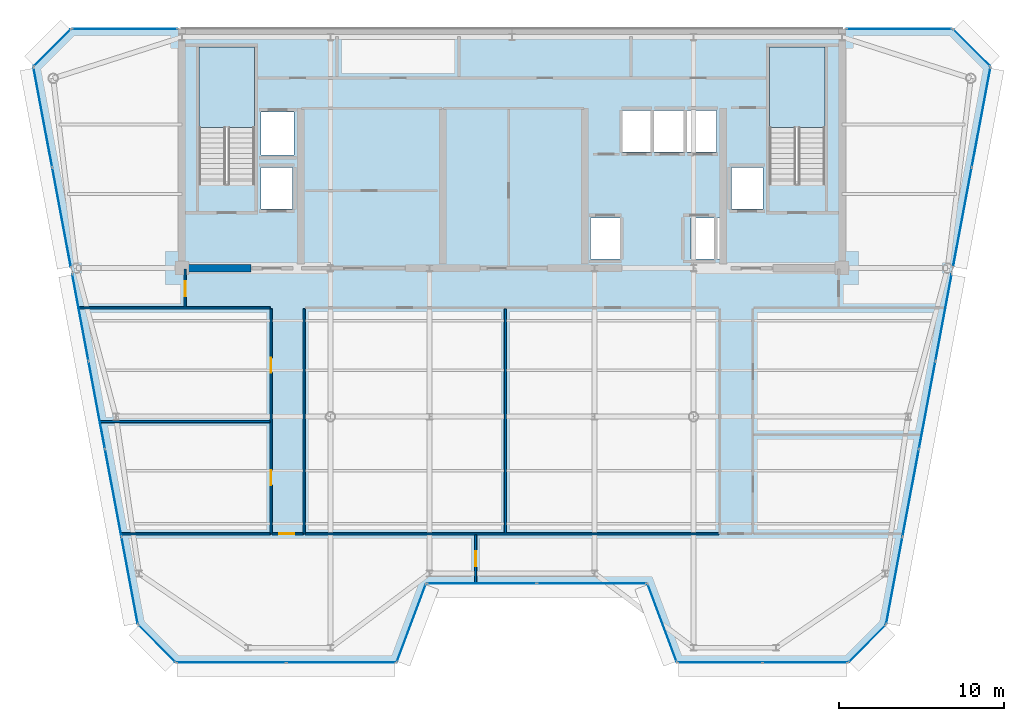
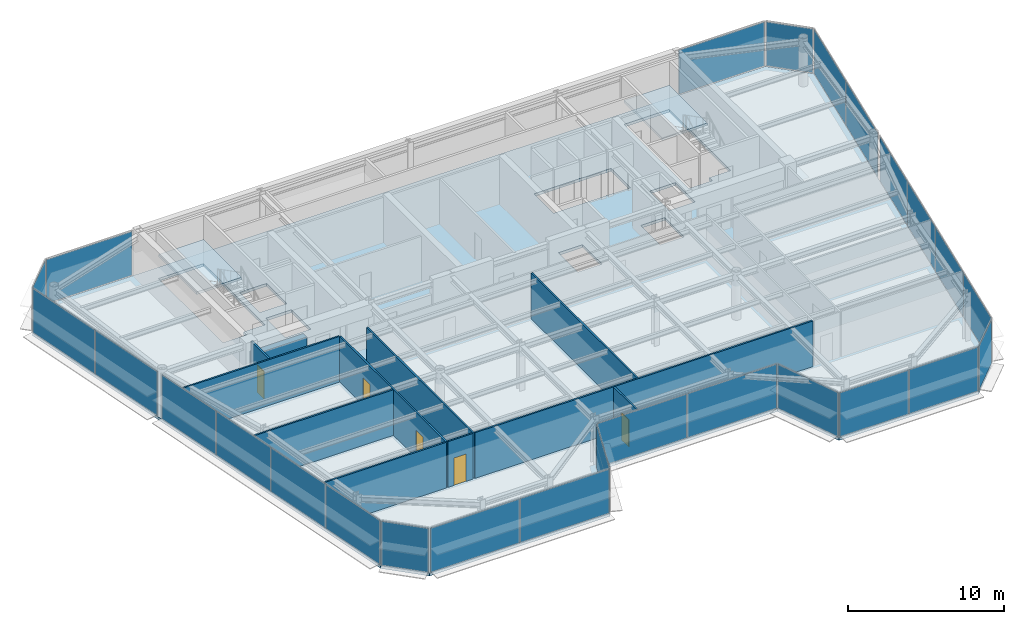
# One storey, part 10 of 20: 26 plates, 11 walls, 5 doors, 3 slabs, 5 openings, 17 elements without a shape of their own.
"""IFC4 building model written with IfcOpenShell, lengths in metres."""

from ifc_helpers import new_model, si_unit, direction, frame, frame_2d, origin, origin_2d, place, context, subcontext, project, spatial, polyline, rectangle, outline, extrude, source, transform, mapped, material, layer, layer_set, type_object, element, fill, aggregate, save


model = new_model("IFC4")

# Units and contexts
model_context = context("Model", 3, precision=1e-05, world=origin(), true_north=direction((0.0, 1.0)))
body_context = subcontext(model_context, "Body", "Model", "MODEL_VIEW")
ifc_project = project(units=[si_unit("LENGTHUNIT", "METRE"), si_unit("AREAUNIT", "SQUARE_METRE"), si_unit("VOLUMEUNIT", "CUBIC_METRE"), si_unit("PLANEANGLEUNIT", "RADIAN"), si_unit("MASSUNIT", "GRAM", prefix="KILO")], contexts=[model_context])

# Site, building, storey
site_placement = place(None, origin())
site = spatial("IfcSite", under=ifc_project, at=site_placement, CompositionType="ELEMENT")
building_placement = place(site_placement, origin())
building = spatial("IfcBuilding", under=site, at=building_placement, Name="Vaeldorn Concourse Tower", CompositionType="ELEMENT")
storey_placement = place(building_placement, frame((0.0, 0.0, 284.0)))
storey = spatial("IfcBuildingStorey", under=building, at=storey_placement, Name="L73", CompositionType="ELEMENT", Elevation=284.0)

# Stair, slab
ifc_material_1 = material(Name="Precast concrete C40/50", Category="concrete")
stair_type = type_object("IfcStairType", Name="STR-DOG-24x158", PredefinedType="HALF_TURN_STAIR", material=ifc_material_1)
stair_1_placement = place(storey_placement, origin())
stair_1 = element("IfcStair", 1, at=stair_1_placement, inside=storey, type_object=stair_type, Name="L73 West Core Exit Stair ST-1", PredefinedType="HALF_TURN_STAIR")
ifc_material_2 = material(Name="Concrete C40/50", Category="concrete")
ifc_layer_1 = layer(ifc_material_2, 0.199951171875)
ifc_layer_set_1 = layer_set([ifc_layer_1], Name="Concrete C40/50")
slab_type_1 = type_object("IfcSlabType", Name="SL-STAIR-LANDING", PredefinedType="LANDING", material=ifc_layer_set_1)
slab_1_placement = place(storey_placement, frame((0.0, 0.0, 1.699951171875)))
slab_1 = element("IfcSlab", 2, at=slab_1_placement, type_object=slab_type_1, Name="ST-1 landing 1", PredefinedType="LANDING", context=body_context, shape_type="SweptSolid", body=[
    extrude(outline(polyline([(18.39990234375, 45.010009765625), (18.39990234375, 49.89990234375), (15.050048828125, 49.89990234375), (15.050048828125, 45.010009765625), (18.39990234375, 45.010009765625)])), origin(), (0.0, 0.0, 1.0), 0.199951171875),
])
aggregate(stair_1, [slab_1])

stair_2_placement = place(storey_placement, origin())
stair_2 = element("IfcStair", 3, at=stair_2_placement, inside=storey, type_object=stair_type, Name="L73 East Core Exit Stair ST-2", PredefinedType="HALF_TURN_STAIR")
slab_2_placement = place(storey_placement, frame((0.0, 0.0, 1.699951171875)))
slab_2 = element("IfcSlab", 4, at=slab_2_placement, type_object=slab_type_1, Name="ST-2 landing 1", PredefinedType="LANDING", context=body_context, shape_type="SweptSolid", body=[
    extrude(outline(polyline([(52.949951171875, 45.010009765625), (52.949951171875, 49.89990234375), (49.60009765625, 49.89990234375), (49.60009765625, 45.010009765625), (52.949951171875, 45.010009765625)])), origin(), (0.0, 0.0, 1.0), 0.199951171875),
])
aggregate(stair_2, [slab_2])

# Slab
ifc_layer_2 = layer(ifc_material_2, 0.219970703125)
ifc_layer_set_2 = layer_set([ifc_layer_2], Name="Concrete C40/50")
slab_type_2 = type_object("IfcSlabType", Name="SL-TYP-220", PredefinedType="FLOOR", material=ifc_layer_set_2)
slab_3_placement = place(storey_placement, frame((0.0, 0.0, -0.219970703125)))
element("IfcSlab", 5, at=slab_3_placement, inside=storey, type_object=slab_type_2, Name="Structural Floor Slab L73", PredefinedType="FLOOR", context=body_context, shape_type="SweptSolid", body=[
    extrude(outline(polyline([(13.635986328125, 12.60009765625), (27.0, 12.60009765625), (28.800048828125, 17.39990234375), (42.199951171875, 17.39990234375), (44.0, 12.60009765625), (54.364013671875, 12.60009765625), (56.6640625, 14.89990234375), (63.0, 48.699951171875), (60.699951171875, 51.0), (7.300048828125, 51.0), (5.0, 48.699951171875), (11.3359375, 14.89990234375), (13.635986328125, 12.60009765625)]), holes=[polyline([(18.39990234375, 42.0), (18.39990234375, 49.89990234375), (15.050048828125, 49.89990234375), (15.050048828125, 41.60009765625), (16.800048828125, 41.60009765625), (16.800048828125, 42.0), (18.39990234375, 42.0)]), polyline([(52.949951171875, 42.0), (52.949951171875, 49.89990234375), (49.60009765625, 49.89990234375), (49.60009765625, 41.60009765625), (51.35009765625, 41.60009765625), (51.35009765625, 42.0), (52.949951171875, 42.0)]), polyline([(38.75, 37.050048828125), (40.550048828125, 37.050048828125), (40.550048828125, 39.550048828125), (38.75, 39.550048828125), (38.75, 37.050048828125)]), polyline([(44.85009765625, 37.050048828125), (46.64990234375, 37.050048828125), (46.64990234375, 39.550048828125), (44.85009765625, 39.550048828125), (44.85009765625, 37.050048828125)]), polyline([(40.699951171875, 43.550048828125), (46.39990234375, 43.550048828125), (46.39990234375, 46.050048828125), (40.699951171875, 46.050048828125), (40.699951171875, 43.550048828125)]), polyline([(18.800048828125, 43.35009765625), (20.800048828125, 43.35009765625), (20.800048828125, 45.949951171875), (18.800048828125, 45.949951171875), (18.800048828125, 43.35009765625)]), polyline([(18.800048828125, 40.10009765625), (20.699951171875, 40.10009765625), (20.699951171875, 42.60009765625), (18.800048828125, 42.60009765625), (18.800048828125, 40.10009765625)]), polyline([(47.300048828125, 40.10009765625), (49.199951171875, 40.10009765625), (49.199951171875, 42.60009765625), (47.300048828125, 42.60009765625), (47.300048828125, 40.10009765625)])]), origin(), (0.0, 0.0, 1.0), 0.219970703125),
])

# Curtain wall, plate
ifc_material_3 = material(Name="Anodised Bronze Aluminium", Category="aluminium")
ifc_layer_3 = layer(ifc_material_3, 0.179931640625)
ifc_layer_set_3 = layer_set([ifc_layer_3], Name="Anodised Bronze Aluminium")
curtain_wall_type = type_object("IfcCurtainWallType", Name="CW-SYS-05", PredefinedType="NOTDEFINED", material=ifc_layer_set_3)
curtain_wall_1_placement = place(storey_placement, origin())
curtain_wall_1 = element("IfcCurtainWall", 6, at=curtain_wall_1_placement, inside=storey, type_object=curtain_wall_type, Name="Unitised Curtain Wall CW-L73-E02-1", PredefinedType="NOTDEFINED")
ifc_material_4 = material(Name="Bronze Tinted Low-E Insulated Glass", Category="glass")
ifc_layer_4 = layer(ifc_material_4, 0.031982421875)
ifc_layer_set_4 = layer_set([ifc_layer_4], Name="Bronze Tinted Low-E Insulated Glass")
plate_type = type_object("IfcPlateType", Name="CWP-VISION-32", PredefinedType="CURTAIN_PANEL", material=ifc_layer_set_4)
shared_shape_1 = source(origin(), body_context, "Body", "SweptSolid", [
    extrude(rectangle(XDim=4.996337890625, YDim=0.031982421875, at=origin_2d()), origin(), (0.0, 0.0, 1.0), 3.449951171875),
])
plate_1_placement = place(storey_placement, frame((27.89990234375, 15.0, 0.06494140625), z_axis=(0.0, 0.0, 1.0), x_axis=(0.351123441595, 0.936329177566, 0.0)))
plate_1 = element("IfcPlate", 7, at=plate_1_placement, type_object=plate_type, Name="CW-05 panel 1.1", PredefinedType="CURTAIN_PANEL", context=body_context, shape_type="MappedRepresentation", body=[
    mapped(shared_shape_1, transform((0.0, 0.0, 0.0), scale=1.0)),
])
aggregate(curtain_wall_1, [plate_1])

curtain_wall_2_placement = place(storey_placement, origin())
curtain_wall_2 = element("IfcCurtainWall", 8, at=curtain_wall_2_placement, inside=storey, type_object=curtain_wall_type, Name="Unitised Curtain Wall CW-L73-E04-1", PredefinedType="NOTDEFINED")
plate_2_placement = place(storey_placement, frame((43.10009765625, 15.0, 0.06494140625), z_axis=(0.0, 0.0, 1.0), x_axis=(0.351123441595, -0.936329177566, 0.0)))
plate_2 = element("IfcPlate", 9, at=plate_2_placement, type_object=plate_type, Name="CW-05 panel 1.1", PredefinedType="CURTAIN_PANEL", context=body_context, shape_type="MappedRepresentation", body=[
    mapped(shared_shape_1, transform((0.0, 0.0, 0.0), scale=1.0)),
])
aggregate(curtain_wall_2, [plate_2])

# Curtain wall, plates
curtain_wall_3_placement = place(storey_placement, origin())
curtain_wall_3 = element("IfcCurtainWall", 10, at=curtain_wall_3_placement, inside=storey, type_object=curtain_wall_type, Name="Unitised Curtain Wall CW-L73-E03-1", PredefinedType="NOTDEFINED")
shared_shape_2 = source(origin(), body_context, "Body", "SweptSolid", [
    extrude(rectangle(XDim=6.6025390625, YDim=0.031982421875, at=origin_2d()), origin(), (0.0, 0.0, 1.0), 3.449951171875),
])
plate_3_placement = place(storey_placement, frame((32.166259765625, 17.39990234375, 0.06494140625), z_axis=(0.0, 0.0, 1.0), x_axis=(1.0, 0.0, 0.0)))
plate_3 = element("IfcPlate", 11, at=plate_3_placement, type_object=plate_type, Name="CW-05 panel 1.1", PredefinedType="CURTAIN_PANEL", context=body_context, shape_type="MappedRepresentation", body=[
    mapped(shared_shape_2, transform((0.0, 0.0, 0.0), scale=1.0)),
])
plate_4_placement = place(storey_placement, frame((38.833740234375, 17.39990234375, 0.06494140625), z_axis=(0.0, 0.0, 1.0), x_axis=(1.0, 0.0, 0.0)))
plate_4 = element("IfcPlate", 12, at=plate_4_placement, type_object=plate_type, Name="CW-05 panel 2.1", PredefinedType="CURTAIN_PANEL", context=body_context, shape_type="MappedRepresentation", body=[
    mapped(shared_shape_2, transform((0.0, 0.0, 0.0), scale=1.0)),
])
aggregate(curtain_wall_3, [plate_3, plate_4])

# Curtain wall, plate
curtain_wall_4_placement = place(storey_placement, origin())
curtain_wall_4 = element("IfcCurtainWall", 13, at=curtain_wall_4_placement, inside=storey, type_object=curtain_wall_type, Name="Unitised Curtain Wall CW-L73-E06-1", PredefinedType="NOTDEFINED")
shared_shape_3 = source(origin(), body_context, "Body", "SweptSolid", [
    extrude(rectangle(XDim=3.122802734375, YDim=0.031982421875, at=origin_2d()), origin(), (0.0, 0.0, 1.0), 3.449951171875),
])
plate_5_placement = place(storey_placement, frame((55.513916015625, 13.75, 0.06494140625), z_axis=(0.0, 0.0, 1.0), x_axis=(0.707106781187, 0.707106781187, 0.0)))
plate_5 = element("IfcPlate", 14, at=plate_5_placement, type_object=plate_type, Name="CW-05 panel 1.1", PredefinedType="CURTAIN_PANEL", context=body_context, shape_type="MappedRepresentation", body=[
    mapped(shared_shape_3, transform((0.0, 0.0, 0.0), scale=1.0)),
])
aggregate(curtain_wall_4, [plate_5])

curtain_wall_5_placement = place(storey_placement, origin())
curtain_wall_5 = element("IfcCurtainWall", 15, at=curtain_wall_5_placement, inside=storey, type_object=curtain_wall_type, Name="Unitised Curtain Wall CW-L73-E08-1", PredefinedType="NOTDEFINED")
plate_6_placement = place(storey_placement, frame((61.85009765625, 49.85009765625, 0.06494140625), z_axis=(0.0, 0.0, 1.0), x_axis=(-0.707106781187, 0.707106781187, 0.0)))
plate_6 = element("IfcPlate", 16, at=plate_6_placement, type_object=plate_type, Name="CW-05 panel 1.1", PredefinedType="CURTAIN_PANEL", context=body_context, shape_type="MappedRepresentation", body=[
    mapped(shared_shape_3, transform((0.0, 0.0, 0.0), scale=1.0)),
])
aggregate(curtain_wall_5, [plate_6])

curtain_wall_6_placement = place(storey_placement, origin())
curtain_wall_6 = element("IfcCurtainWall", 17, at=curtain_wall_6_placement, inside=storey, type_object=curtain_wall_type, Name="Unitised Curtain Wall CW-L73-E10-1", PredefinedType="NOTDEFINED")
plate_7_placement = place(storey_placement, frame((6.14990234375, 49.85009765625, 0.06494140625), z_axis=(0.0, 0.0, 1.0), x_axis=(-0.707106781187, -0.707106781187, 0.0)))
plate_7 = element("IfcPlate", 18, at=plate_7_placement, type_object=plate_type, Name="CW-05 panel 1.1", PredefinedType="CURTAIN_PANEL", context=body_context, shape_type="MappedRepresentation", body=[
    mapped(shared_shape_3, transform((0.0, 0.0, 0.0), scale=1.0)),
])
aggregate(curtain_wall_6, [plate_7])

curtain_wall_7_placement = place(storey_placement, origin())
curtain_wall_7 = element("IfcCurtainWall", 19, at=curtain_wall_7_placement, inside=storey, type_object=curtain_wall_type, Name="Unitised Curtain Wall CW-L73-E12-1", PredefinedType="NOTDEFINED")
plate_8_placement = place(storey_placement, frame((12.486083984375, 13.75, 0.06494140625), z_axis=(0.0, 0.0, 1.0), x_axis=(0.707106781187, -0.707106781187, 0.0)))
plate_8 = element("IfcPlate", 20, at=plate_8_placement, type_object=plate_type, Name="CW-05 panel 1.1", PredefinedType="CURTAIN_PANEL", context=body_context, shape_type="MappedRepresentation", body=[
    mapped(shared_shape_3, transform((0.0, 0.0, 0.0), scale=1.0)),
])
aggregate(curtain_wall_7, [plate_8])

curtain_wall_8_placement = place(storey_placement, origin())
curtain_wall_8 = element("IfcCurtainWall", 21, at=curtain_wall_8_placement, inside=storey, type_object=curtain_wall_type, Name="Unitised Curtain Wall CW-L73-E09-1", PredefinedType="NOTDEFINED")
shared_shape_4 = source(origin(), body_context, "Body", "SweptSolid", [
    extrude(rectangle(XDim=6.35009765625, YDim=0.031982421875, at=origin_2d()), origin(), (0.0, 0.0, 1.0), 3.449951171875),
])
plate_9_placement = place(storey_placement, frame((57.4599609375, 51.0, 0.06494140625), z_axis=(0.0, 0.0, 1.0), x_axis=(-1.0, 0.0, 0.0)))
plate_9 = element("IfcPlate", 22, at=plate_9_placement, type_object=plate_type, Name="CW-05 panel 1.1", PredefinedType="CURTAIN_PANEL", context=body_context, shape_type="MappedRepresentation", body=[
    mapped(shared_shape_4, transform((0.0, 0.0, 0.0), scale=1.0)),
])
aggregate(curtain_wall_8, [plate_9])

curtain_wall_9_placement = place(storey_placement, origin())
curtain_wall_9 = element("IfcCurtainWall", 23, at=curtain_wall_9_placement, inside=storey, type_object=curtain_wall_type, Name="Unitised Curtain Wall CW-L73-E09-2", PredefinedType="NOTDEFINED")
plate_10_placement = place(storey_placement, frame((10.5400390625, 51.0, 0.06494140625), z_axis=(0.0, 0.0, 1.0), x_axis=(-1.0, 0.0, 0.0)))
plate_10 = element("IfcPlate", 24, at=plate_10_placement, type_object=plate_type, Name="CW-05 panel 1.1", PredefinedType="CURTAIN_PANEL", context=body_context, shape_type="MappedRepresentation", body=[
    mapped(shared_shape_4, transform((0.0, 0.0, 0.0), scale=1.0)),
])
aggregate(curtain_wall_9, [plate_10])

# Curtain wall, plates
curtain_wall_10_placement = place(storey_placement, origin())
curtain_wall_10 = element("IfcCurtainWall", 25, at=curtain_wall_10_placement, inside=storey, type_object=curtain_wall_type, Name="Unitised Curtain Wall CW-L73-E07-1", PredefinedType="NOTDEFINED")
shared_shape_5 = source(origin(), body_context, "Body", "SweptSolid", [
    extrude(rectangle(XDim=5.31640625, YDim=0.031982421875, at=origin_2d()), origin(), (0.0, 0.0, 1.0), 3.449951171875),
])
plate_11_placement = place(storey_placement, frame((57.165771484375, 17.57666015625, 0.06494140625), z_axis=(0.0, 0.0, 1.0), x_axis=(0.184246714088, 0.982880027444, 0.0)))
plate_11 = element("IfcPlate", 26, at=plate_11_placement, type_object=plate_type, Name="CW-05 panel 1.1", PredefinedType="CURTAIN_PANEL", context=body_context, shape_type="MappedRepresentation", body=[
    mapped(shared_shape_5, transform((0.0, 0.0, 0.0), scale=1.0)),
])
plate_12_placement = place(storey_placement, frame((60.15234375, 33.50830078125, 0.06494140625), z_axis=(0.0, 0.0, 1.0), x_axis=(0.184246714088, 0.982880027444, 0.0)))
plate_12 = element("IfcPlate", 27, at=plate_12_placement, type_object=plate_type, Name="CW-05 panel 4.1", PredefinedType="CURTAIN_PANEL", context=body_context, shape_type="MappedRepresentation", body=[
    mapped(shared_shape_5, transform((0.0, 0.0, 0.0), scale=1.0)),
])

curtain_wall_11_placement = place(storey_placement, origin())
curtain_wall_11 = element("IfcCurtainWall", 28, at=curtain_wall_11_placement, inside=storey, type_object=curtain_wall_type, Name="Unitised Curtain Wall CW-L73-E11-2", PredefinedType="NOTDEFINED")
plate_13_placement = place(storey_placement, frame((7.84765625, 33.50830078125, 0.06494140625), z_axis=(0.0, 0.0, 1.0), x_axis=(0.184246714088, -0.982880027444, 0.0)))
plate_13 = element("IfcPlate", 29, at=plate_13_placement, type_object=plate_type, Name="CW-05 panel 1.1", PredefinedType="CURTAIN_PANEL", context=body_context, shape_type="MappedRepresentation", body=[
    mapped(shared_shape_5, transform((0.0, 0.0, 0.0), scale=1.0)),
])
plate_14_placement = place(storey_placement, frame((10.834228515625, 17.57666015625, 0.06494140625), z_axis=(0.0, 0.0, 1.0), x_axis=(0.184246714088, -0.982880027444, 0.0)))
plate_14 = element("IfcPlate", 30, at=plate_14_placement, type_object=plate_type, Name="CW-05 panel 4.1", PredefinedType="CURTAIN_PANEL", context=body_context, shape_type="MappedRepresentation", body=[
    mapped(shared_shape_5, transform((0.0, 0.0, 0.0), scale=1.0)),
])

# Plate
shared_shape_6 = source(origin(), body_context, "Body", "SweptSolid", [
    extrude(rectangle(XDim=5.348876953125, YDim=0.031982421875, at=origin_2d()), origin(), (0.0, 0.0, 1.0), 3.449951171875),
])
plate_15_placement = place(storey_placement, frame((58.16015625, 22.8818359375, 0.06494140625), z_axis=(0.0, 0.0, 1.0), x_axis=(0.184246714088, 0.982880027444, 0.0)))
plate_15 = element("IfcPlate", 31, at=plate_15_placement, type_object=plate_type, Name="CW-05 panel 2.1", PredefinedType="CURTAIN_PANEL", context=body_context, shape_type="MappedRepresentation", body=[
    mapped(shared_shape_6, transform((0.0, 0.0, 0.0), scale=1.0)),
])

plate_16_placement = place(storey_placement, frame((59.15771484375, 28.203125, 0.06494140625), z_axis=(0.0, 0.0, 1.0), x_axis=(0.184246714088, 0.982880027444, 0.0)))
plate_16 = element("IfcPlate", 32, at=plate_16_placement, type_object=plate_type, Name="CW-05 panel 3.1", PredefinedType="CURTAIN_PANEL", context=body_context, shape_type="MappedRepresentation", body=[
    mapped(shared_shape_6, transform((0.0, 0.0, 0.0), scale=1.0)),
])

aggregate(curtain_wall_10, [plate_11, plate_15, plate_16, plate_12])

plate_17_placement = place(storey_placement, frame((8.84228515625, 28.203125, 0.06494140625), z_axis=(0.0, 0.0, 1.0), x_axis=(0.184246714088, -0.982880027444, 0.0)))
plate_17 = element("IfcPlate", 33, at=plate_17_placement, type_object=plate_type, Name="CW-05 panel 2.1", PredefinedType="CURTAIN_PANEL", context=body_context, shape_type="MappedRepresentation", body=[
    mapped(shared_shape_6, transform((0.0, 0.0, 0.0), scale=1.0)),
])

plate_18_placement = place(storey_placement, frame((9.83984375, 22.8818359375, 0.06494140625), z_axis=(0.0, 0.0, 1.0), x_axis=(0.184246714088, -0.982880027444, 0.0)))
plate_18 = element("IfcPlate", 34, at=plate_18_placement, type_object=plate_type, Name="CW-05 panel 3.1", PredefinedType="CURTAIN_PANEL", context=body_context, shape_type="MappedRepresentation", body=[
    mapped(shared_shape_6, transform((0.0, 0.0, 0.0), scale=1.0)),
])

aggregate(curtain_wall_11, [plate_13, plate_17, plate_18, plate_14])

# Curtain wall, plates
curtain_wall_12_placement = place(storey_placement, origin())
curtain_wall_12 = element("IfcCurtainWall", 35, at=curtain_wall_12_placement, inside=storey, type_object=curtain_wall_type, Name="Unitised Curtain Wall CW-L73-E07-2", PredefinedType="NOTDEFINED")
shared_shape_7 = source(origin(), body_context, "Body", "SweptSolid", [
    extrude(rectangle(XDim=6.103515625, YDim=0.031982421875, at=origin_2d()), origin(), (0.0, 0.0, 1.0), 3.449951171875),
])
plate_19_placement = place(storey_placement, frame((61.289306640625, 39.57373046875, 0.06494140625), z_axis=(0.0, 0.0, 1.0), x_axis=(0.184245693053, 0.982880218842, 0.0)))
plate_19 = element("IfcPlate", 36, at=plate_19_placement, type_object=plate_type, Name="CW-05 panel 1.1", PredefinedType="CURTAIN_PANEL", context=body_context, shape_type="MappedRepresentation", body=[
    mapped(shared_shape_7, transform((0.0, 0.0, 0.0), scale=1.0)),
])
plate_20_placement = place(storey_placement, frame((62.42578125, 45.63671875, 0.06494140625), z_axis=(0.0, 0.0, 1.0), x_axis=(0.184245693053, 0.982880218842, 0.0)))
plate_20 = element("IfcPlate", 37, at=plate_20_placement, type_object=plate_type, Name="CW-05 panel 2.1", PredefinedType="CURTAIN_PANEL", context=body_context, shape_type="MappedRepresentation", body=[
    mapped(shared_shape_7, transform((0.0, 0.0, 0.0), scale=1.0)),
])
aggregate(curtain_wall_12, [plate_19, plate_20])

curtain_wall_13_placement = place(storey_placement, origin())
curtain_wall_13 = element("IfcCurtainWall", 38, at=curtain_wall_13_placement, inside=storey, type_object=curtain_wall_type, Name="Unitised Curtain Wall CW-L73-E11-1", PredefinedType="NOTDEFINED")
plate_21_placement = place(storey_placement, frame((5.57421875, 45.63671875, 0.06494140625), z_axis=(0.0, 0.0, 1.0), x_axis=(0.184245693053, -0.982880218842, 0.0)))
plate_21 = element("IfcPlate", 39, at=plate_21_placement, type_object=plate_type, Name="CW-05 panel 1.1", PredefinedType="CURTAIN_PANEL", context=body_context, shape_type="MappedRepresentation", body=[
    mapped(shared_shape_7, transform((0.0, 0.0, 0.0), scale=1.0)),
])
plate_22_placement = place(storey_placement, frame((6.710693359375, 39.57373046875, 0.06494140625), z_axis=(0.0, 0.0, 1.0), x_axis=(0.184245693053, -0.982880218842, 0.0)))
plate_22 = element("IfcPlate", 40, at=plate_22_placement, type_object=plate_type, Name="CW-05 panel 2.1", PredefinedType="CURTAIN_PANEL", context=body_context, shape_type="MappedRepresentation", body=[
    mapped(shared_shape_7, transform((0.0, 0.0, 0.0), scale=1.0)),
])
aggregate(curtain_wall_13, [plate_21, plate_22])

curtain_wall_14_placement = place(storey_placement, origin())
curtain_wall_14 = element("IfcCurtainWall", 41, at=curtain_wall_14_placement, inside=storey, type_object=curtain_wall_type, Name="Unitised Curtain Wall CW-L73-E01-1", PredefinedType="NOTDEFINED")
shared_shape_8 = source(origin(), body_context, "Body", "SweptSolid", [
    extrude(rectangle(XDim=6.58447265625, YDim=0.031982421875, at=origin_2d()), origin(), (0.0, 0.0, 1.0), 3.449951171875),
])
plate_23_placement = place(storey_placement, frame((16.9931640625, 12.60009765625, 0.06494140625), z_axis=(0.0, 0.0, 1.0), x_axis=(1.0, 0.0, 0.0)))
plate_23 = element("IfcPlate", 42, at=plate_23_placement, type_object=plate_type, Name="CW-05 panel 1.1", PredefinedType="CURTAIN_PANEL", context=body_context, shape_type="MappedRepresentation", body=[
    mapped(shared_shape_8, transform((0.0, 0.0, 0.0), scale=1.0)),
])
plate_24_placement = place(storey_placement, frame((23.642822265625, 12.60009765625, 0.06494140625), z_axis=(0.0, 0.0, 1.0), x_axis=(1.0, 0.0, 0.0)))
plate_24 = element("IfcPlate", 43, at=plate_24_placement, type_object=plate_type, Name="CW-05 panel 2.1", PredefinedType="CURTAIN_PANEL", context=body_context, shape_type="MappedRepresentation", body=[
    mapped(shared_shape_8, transform((0.0, 0.0, 0.0), scale=1.0)),
])
aggregate(curtain_wall_14, [plate_23, plate_24])

curtain_wall_15_placement = place(storey_placement, origin())
curtain_wall_15 = element("IfcCurtainWall", 44, at=curtain_wall_15_placement, inside=storey, type_object=curtain_wall_type, Name="Unitised Curtain Wall CW-L73-E05-1", PredefinedType="NOTDEFINED")
shared_shape_9 = source(origin(), body_context, "Body", "SweptSolid", [
    extrude(rectangle(XDim=5.08447265625, YDim=0.031982421875, at=origin_2d()), origin(), (0.0, 0.0, 1.0), 3.449951171875),
])
plate_25_placement = place(storey_placement, frame((46.607177734375, 12.60009765625, 0.06494140625), z_axis=(0.0, 0.0, 1.0), x_axis=(1.0, 0.0, 0.0)))
plate_25 = element("IfcPlate", 45, at=plate_25_placement, type_object=plate_type, Name="CW-05 panel 1.1", PredefinedType="CURTAIN_PANEL", context=body_context, shape_type="MappedRepresentation", body=[
    mapped(shared_shape_9, transform((0.0, 0.0, 0.0), scale=1.0)),
])
plate_26_placement = place(storey_placement, frame((51.7568359375, 12.60009765625, 0.06494140625), z_axis=(0.0, 0.0, 1.0), x_axis=(1.0, 0.0, 0.0)))
plate_26 = element("IfcPlate", 46, at=plate_26_placement, type_object=plate_type, Name="CW-05 panel 2.1", PredefinedType="CURTAIN_PANEL", context=body_context, shape_type="MappedRepresentation", body=[
    mapped(shared_shape_9, transform((0.0, 0.0, 0.0), scale=1.0)),
])
aggregate(curtain_wall_15, [plate_25, plate_26])

# Walls
ifc_material_5 = material(Name="Concrete C50/60", Category="concrete")
ifc_layer_5 = layer(ifc_material_5, 0.449951171875)
ifc_layer_set_5 = layer_set([ifc_layer_5], Name="Concrete C50/60")
wall_type_1 = type_object("IfcWallType", Name="WL-CORE-450", PredefinedType="SHEAR", material=ifc_layer_set_5)
wall_1_placement = place(storey_placement, frame((14.2451171875, 36.5, 0.0), z_axis=(0.0, 0.0, 1.0), x_axis=(1.0, 0.0, 0.0)))
element("IfcWall", 47, at=wall_1_placement, inside=storey, type_object=wall_type_1, Name="Rear Core Shear Wall L73 S1", PredefinedType="SHEAR", context=body_context, shape_type="SweptSolid", body=[
    extrude(rectangle(XDim=3.954833984375, YDim=0.449951171875, at=frame_2d((1.9775390625, 0.0))), origin(), (0.0, 0.0, 1.0), 2.580078125),
])
ifc_material_6 = material(Name="Gypsum Board Partition", Category="gypsum")
ifc_layer_6 = layer(ifc_material_6, 0.1201171875)
ifc_layer_set_6 = layer_set([ifc_layer_6], Name="Gypsum Board Partition")
wall_type_2 = type_object("IfcWallType", Name="WL-PART-120", PredefinedType="PARTITIONING", material=ifc_layer_set_6)
wall_2_placement = place(storey_placement, frame((7.77685546875, 34.10009765625, 0.0), z_axis=(0.0, 0.0, 1.0), x_axis=(1.0, 0.0, 0.0)))
element("IfcWall", 48, at=wall_2_placement, inside=storey, type_object=wall_type_2, Name="Interior Wall PW-L73-CEWW", PredefinedType="PARTITIONING", context=body_context, shape_type="SweptSolid", body=[
    extrude(rectangle(XDim=11.563232421875, YDim=0.1201171875, at=frame_2d((5.78173828125, 0.0))), origin(), (0.0, 0.0, 1.0), 3.580078125),
])

# Wall, opening, door
wall_3_placement = place(storey_placement, frame((14.199951171875, 34.159912109375, 0.0), z_axis=(0.0, 0.0, 1.0), x_axis=(0.0, 1.0, 0.0)))
wall_3 = element("IfcWall", 49, at=wall_3_placement, inside=storey, type_object=wall_type_2, Name="Interior Wall PW-L73-CWWT", PredefinedType="PARTITIONING", context=body_context, shape_type="SweptSolid", body=[
    extrude(rectangle(XDim=2.280029296875, YDim=0.1201171875, at=frame_2d((1.14013671875, 0.0))), origin(), (0.0, 0.0, 1.0), 3.580078125),
])
opening_1_placement = place(wall_3_placement, frame((0.64990234375, 0.0, 0.0)))
opening_1 = element("IfcOpeningElement", 50, at=opening_1_placement, cuts=wall_3, Name="Opening D-03", PredefinedType="OPENING", context=body_context, shape_type="SweptSolid", body=[
    extrude(rectangle(XDim=0.89990234375, YDim=2.14990234375, at=frame_2d((0.449951171875, 1.074951171875))), frame((0.0, 0.070068359375, 0.0), z_axis=(0.0, -1.0, 0.0), x_axis=(1.0, 0.0, 0.0)), (0.0, 0.0, 1.0), 0.14013671875),
])
ifc_material_7 = material(Name="Acoustic Bronze-Framed Glass Door", Category="glass")
door_type = type_object("IfcDoorType", Name="DR-INT-900", OperationType="NOTDEFINED", PredefinedType="DOOR", material=ifc_material_7)
shared_shape_10 = source(origin(), body_context, "Body", "SweptSolid", [
    extrude(rectangle(XDim=0.89990234375, YDim=2.14990234375, at=frame_2d((0.449951171875, 1.074951171875))), frame((0.0, 0.02490234375, 0.0), z_axis=(0.0, -1.0, 0.0), x_axis=(1.0, 0.0, 0.0)), (0.0, 0.0, 1.0), 0.050048828125),
])
door_1_placement = place(opening_1_placement, origin())
door_1 = element("IfcDoor", 51, at=door_1_placement, inside=storey, type_object=door_type, Name="Interior Door DR-L73-NW1", OperationType="SINGLE_SWING_LEFT", OverallHeight=2.14990234375, OverallWidth=0.89990234375, PredefinedType="DOOR", context=body_context, shape_type="MappedRepresentation", body=[
    mapped(shared_shape_10, transform((0.0, 0.0, 0.0), scale=1.0)),
])
fill(opening_1, door_1)

# Wall, openings, doors
wall_4_placement = place(storey_placement, frame((19.39990234375, 20.39990234375, 0.0), z_axis=(0.0, 0.0, 1.0), x_axis=(0.0, 1.0, 0.0)))
wall_4 = element("IfcWall", 52, at=wall_4_placement, inside=storey, type_object=wall_type_2, Name="Interior Wall PW-L73-CWW", PredefinedType="PARTITIONING", context=body_context, shape_type="SweptSolid", body=[
    extrude(rectangle(XDim=13.64013671875, YDim=0.1201171875, at=frame_2d((6.820068359375, 0.0))), origin(), (0.0, 0.0, 1.0), 3.580078125),
])
opening_2_placement = place(wall_4_placement, frame((2.949951171875, 0.0, 0.0)))
opening_2 = element("IfcOpeningElement", 53, at=opening_2_placement, cuts=wall_4, Name="Opening D-03", PredefinedType="OPENING", context=body_context, shape_type="SweptSolid", body=[
    extrude(rectangle(XDim=0.89990234375, YDim=2.14990234375, at=frame_2d((0.449951171875, 1.074951171875))), frame((0.0, 0.070068359375, 0.0), z_axis=(0.0, -1.0, 0.0), x_axis=(1.0, 0.0, 0.0)), (0.0, 0.0, 1.0), 0.14013671875),
])
opening_3_placement = place(wall_4_placement, frame((9.77001953125, 0.0, 0.0)))
opening_3 = element("IfcOpeningElement", 54, at=opening_3_placement, cuts=wall_4, Name="Opening D-03", PredefinedType="OPENING", context=body_context, shape_type="SweptSolid", body=[
    extrude(rectangle(XDim=0.89990234375, YDim=2.14990234375, at=frame_2d((0.449951171875, 1.074951171875))), frame((0.0, 0.070068359375, 0.0), z_axis=(0.0, -1.0, 0.0), x_axis=(1.0, 0.0, 0.0)), (0.0, 0.0, 1.0), 0.14013671875),
])
door_2_placement = place(opening_2_placement, origin())
door_2 = element("IfcDoor", 55, at=door_2_placement, inside=storey, type_object=door_type, Name="Interior Door DR-L73-W1", OperationType="SINGLE_SWING_LEFT", OverallHeight=2.14990234375, OverallWidth=0.89990234375, PredefinedType="DOOR", context=body_context, shape_type="MappedRepresentation", body=[
    mapped(shared_shape_10, transform((0.0, 0.0, 0.0), scale=1.0)),
])
fill(opening_2, door_2)
door_3_placement = place(opening_3_placement, origin())
door_3 = element("IfcDoor", 56, at=door_3_placement, inside=storey, type_object=door_type, Name="Interior Door DR-L73-W2", OperationType="SINGLE_SWING_RIGHT", OverallHeight=2.14990234375, OverallWidth=0.89990234375, PredefinedType="DOOR", context=body_context, shape_type="MappedRepresentation", body=[
    mapped(shared_shape_10, transform((0.0, 0.0, 0.0), scale=1.0)),
])
fill(opening_3, door_3)

# Wall
wall_5_placement = place(storey_placement, frame((21.39990234375, 20.39990234375, 0.0), z_axis=(0.0, 0.0, 1.0), x_axis=(0.0, 1.0, 0.0)))
element("IfcWall", 57, at=wall_5_placement, inside=storey, type_object=wall_type_2, Name="Interior Wall PW-L73-CWE", PredefinedType="PARTITIONING", context=body_context, shape_type="SweptSolid", body=[
    extrude(rectangle(XDim=13.64013671875, YDim=0.1201171875, at=frame_2d((6.820068359375, 0.0))), origin(), (0.0, 0.0, 1.0), 3.580078125),
])

# Wall, opening, door
wall_6_placement = place(storey_placement, frame((19.4599609375, 20.39990234375, 0.0), z_axis=(0.0, 0.0, 1.0), x_axis=(1.0, 0.0, 0.0)))
wall_6 = element("IfcWall", 58, at=wall_6_placement, inside=storey, type_object=wall_type_2, Name="Interior Wall PW-L73-CWS", PredefinedType="PARTITIONING", context=body_context, shape_type="SweptSolid", body=[
    extrude(rectangle(XDim=1.880126953125, YDim=0.1201171875, at=frame_2d((0.93994140625, 0.0))), origin(), (0.0, 0.0, 1.0), 3.580078125),
])
opening_4_placement = place(wall_6_placement, frame((0.449951171875, 0.0, 0.0)))
opening_4 = element("IfcOpeningElement", 59, at=opening_4_placement, cuts=wall_6, Name="Opening D-03", PredefinedType="OPENING", context=body_context, shape_type="SweptSolid", body=[
    extrude(rectangle(XDim=0.89990234375, YDim=2.14990234375, at=frame_2d((0.449951171875, 1.074951171875))), frame((0.0, 0.070068359375, 0.0), z_axis=(0.0, -1.0, 0.0), x_axis=(1.0, 0.0, 0.0)), (0.0, 0.0, 1.0), 0.14013671875),
])
door_4_placement = place(opening_4_placement, origin())
door_4 = element("IfcDoor", 60, at=door_4_placement, inside=storey, type_object=door_type, Name="Interior Door DR-L73-SWL", OperationType="SINGLE_SWING_LEFT", OverallHeight=2.14990234375, OverallWidth=0.89990234375, PredefinedType="DOOR", context=body_context, shape_type="MappedRepresentation", body=[
    mapped(shared_shape_10, transform((0.0, 0.0, 0.0), scale=1.0)),
])
fill(opening_4, door_4)

# Walls
wall_7_placement = place(storey_placement, frame((10.344970703125, 20.39990234375, 0.0), z_axis=(0.0, 0.0, 1.0), x_axis=(1.0, 0.0, 0.0)))
element("IfcWall", 61, at=wall_7_placement, inside=storey, type_object=wall_type_2, Name="Interior Wall PW-L73-WY0", PredefinedType="PARTITIONING", context=body_context, shape_type="SweptSolid", body=[
    extrude(rectangle(XDim=8.9951171875, YDim=0.1201171875, at=frame_2d((4.49755859375, 0.0))), origin(), (0.0, 0.0, 1.0), 3.580078125),
])
wall_8_placement = place(storey_placement, frame((9.0703125, 27.199951171875, 0.0), z_axis=(0.0, 0.0, 1.0), x_axis=(1.0, 0.0, 0.0)))
element("IfcWall", 62, at=wall_8_placement, inside=storey, type_object=wall_type_2, Name="Interior Wall PW-L73-WY1", PredefinedType="PARTITIONING", context=body_context, shape_type="SweptSolid", body=[
    extrude(rectangle(XDim=10.269775390625, YDim=0.1201171875, at=frame_2d((5.134765625, 0.0))), origin(), (0.0, 0.0, 1.0), 3.580078125),
])
wall_9_placement = place(storey_placement, frame((21.4599609375, 20.39990234375, 0.0), z_axis=(0.0, 0.0, 1.0), x_axis=(1.0, 0.0, 0.0)))
element("IfcWall", 63, at=wall_9_placement, inside=storey, type_object=wall_type_2, Name="Interior Wall PW-L73-HUBS", PredefinedType="PARTITIONING", context=body_context, shape_type="SweptSolid", body=[
    extrude(rectangle(XDim=25.080078125, YDim=0.1201171875, at=frame_2d((12.5400390625, 0.0))), origin(), (0.0, 0.0, 1.0), 3.580078125),
])
wall_10_placement = place(storey_placement, frame((33.60009765625, 20.4599609375, 0.0), z_axis=(0.0, 0.0, 1.0), x_axis=(0.0, 1.0, 0.0)))
element("IfcWall", 64, at=wall_10_placement, inside=storey, type_object=wall_type_2, Name="Interior Wall PW-L73-HX1", PredefinedType="PARTITIONING", context=body_context, shape_type="SweptSolid", body=[
    extrude(rectangle(XDim=13.580078125, YDim=0.1201171875, at=frame_2d((6.7900390625, 0.0))), origin(), (0.0, 0.0, 1.0), 3.580078125),
])

# Wall, opening, door
wall_11_placement = place(storey_placement, frame((31.800048828125, 17.43994140625, 0.0), z_axis=(0.0, 0.0, 1.0), x_axis=(0.0, 1.0, 0.0)))
wall_11 = element("IfcWall", 65, at=wall_11_placement, inside=storey, type_object=wall_type_2, Name="Interior Wall PW-L73-SMID1", PredefinedType="PARTITIONING", context=body_context, shape_type="SweptSolid", body=[
    extrude(rectangle(XDim=2.900146484375, YDim=0.1201171875, at=frame_2d((1.4501953125, 0.0))), origin(), (0.0, 0.0, 1.0), 3.580078125),
])
opening_5_placement = place(wall_11_placement, frame((1.0, 0.0, 0.0)))
opening_5 = element("IfcOpeningElement", 66, at=opening_5_placement, cuts=wall_11, Name="Opening D-03", PredefinedType="OPENING", context=body_context, shape_type="SweptSolid", body=[
    extrude(rectangle(XDim=0.89990234375, YDim=2.14990234375, at=frame_2d((0.449951171875, 1.074951171875))), frame((0.0, 0.070068359375, 0.0), z_axis=(0.0, -1.0, 0.0), x_axis=(1.0, 0.0, 0.0)), (0.0, 0.0, 1.0), 0.14013671875),
])
door_5_placement = place(opening_5_placement, origin())
door_5 = element("IfcDoor", 67, at=door_5_placement, inside=storey, type_object=door_type, Name="Interior Door DR-L73-SMID1", OperationType="SINGLE_SWING_RIGHT", OverallHeight=2.14990234375, OverallWidth=0.89990234375, PredefinedType="DOOR", context=body_context, shape_type="MappedRepresentation", body=[
    mapped(shared_shape_10, transform((0.0, 0.0, 0.0), scale=1.0)),
])
fill(opening_5, door_5)

save(model, "model.ifc")
